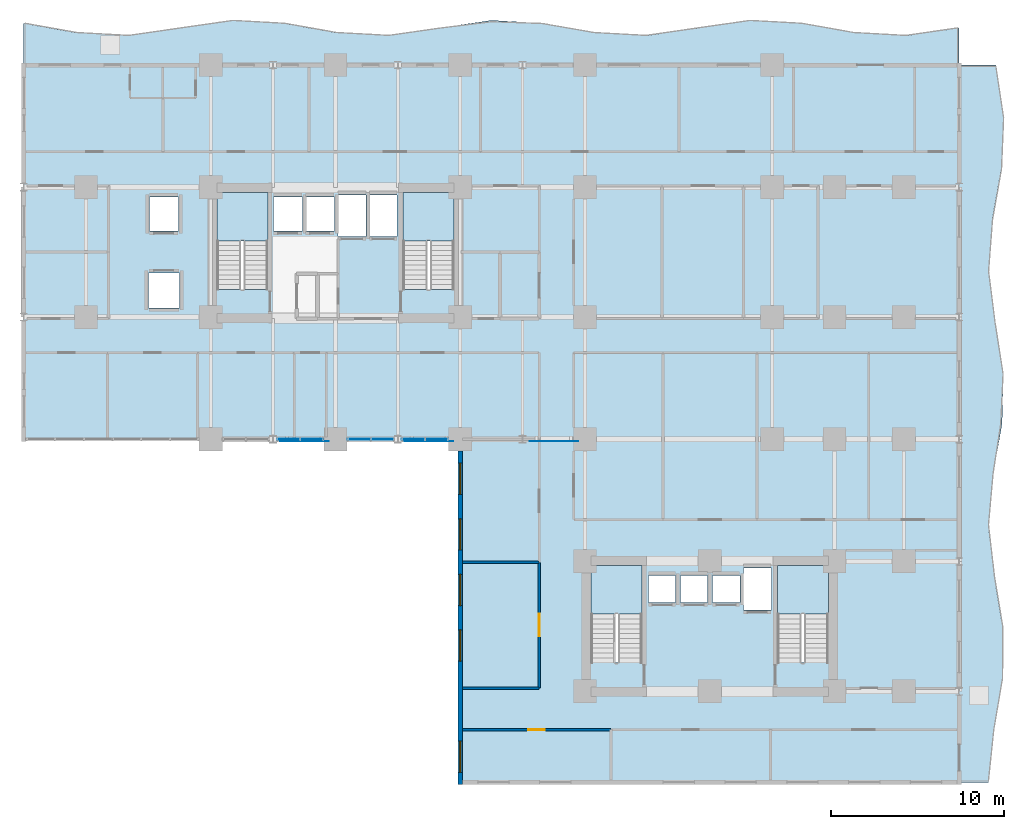
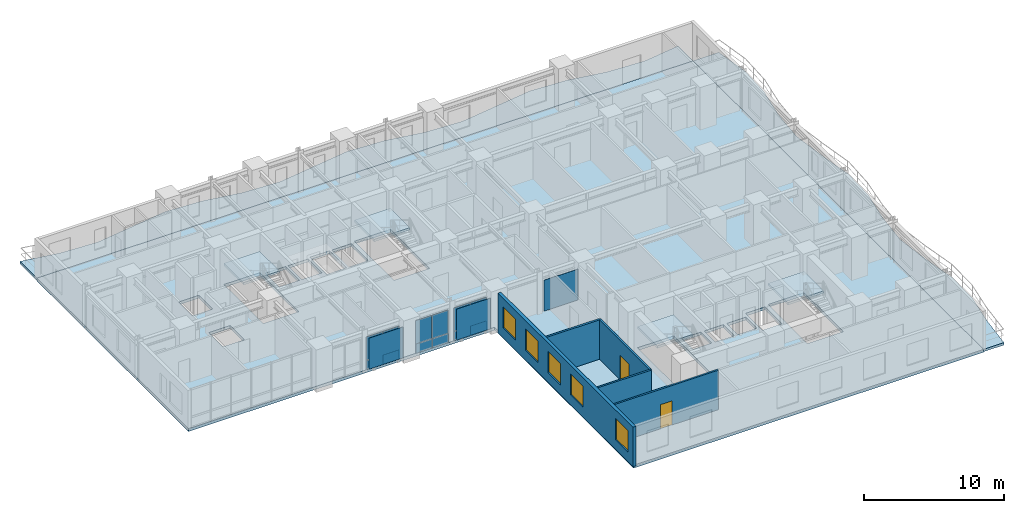
# One storey, part 7 of 17: 15 plates, 7 slabs, 5 walls, 5 windows, 2 doors, 7 openings, 7 elements without a shape of their own.
"""IFC4 building model written with IfcOpenShell, lengths in metres."""

from ifc_helpers import new_model, si_unit, direction, frame, frame_2d, origin, origin_2d, place, context, subcontext, project, spatial, polyline, rectangle, outline, extrude, source, transform, mapped, material, layer, layer_set, type_object, element, fill, aggregate, save


model = new_model("IFC4")

# Units and contexts
model_context = context("Model", 3, precision=1e-05, world=origin(), true_north=direction((0.0, 1.0)))
body_context = subcontext(model_context, "Body", "Model", "MODEL_VIEW")
ifc_project = project(units=[si_unit("LENGTHUNIT", "METRE"), si_unit("AREAUNIT", "SQUARE_METRE"), si_unit("VOLUMEUNIT", "CUBIC_METRE"), si_unit("PLANEANGLEUNIT", "RADIAN"), si_unit("MASSUNIT", "GRAM", prefix="KILO")], contexts=[model_context])

# Site, building, storey
site_placement = place(None, origin())
site = spatial("IfcSite", under=ifc_project, at=site_placement, CompositionType="ELEMENT")
building_placement = place(site_placement, origin())
building = spatial("IfcBuilding", under=site, at=building_placement, Name="Kaliganga Portal Commons", CompositionType="ELEMENT")
storey_placement = place(building_placement, frame((0.0, 0.0, 43.800048828125)))
storey = spatial("IfcBuildingStorey", under=building, at=storey_placement, Name="L10", CompositionType="ELEMENT", Elevation=43.800048828125)

# Slabs
ifc_material_1 = material(Name="Concrete C40/50", Category="concrete")
ifc_layer_1 = layer(ifc_material_1, 0.2099609375)
ifc_layer_set_1 = layer_set([ifc_layer_1], Name="Concrete C40/50")
slab_type_1 = type_object("IfcSlabType", Name="SLB-BALC-210", PredefinedType="FLOOR", material=ifc_layer_set_1)
slab_1_placement = place(storey_placement, frame((0.0, 0.0, -0.2099609375)))
element("IfcSlab", 1, at=slab_1_placement, inside=storey, type_object=slab_type_1, Name="Scalloped Tree-Planter Balcony Slab L10 balc_north", PredefinedType="FLOOR", context=body_context, shape_type="SweptSolid", body=[
    extrude(outline(polyline([(57.60009765625, 43.199951171875), (57.60009765625, 45.34326171875), (54.60009765625, 44.908935546875), (51.60009765625, 45.07470703125), (48.60009765625, 45.61181640625), (45.60009765625, 45.777587890625), (42.60009765625, 45.34326171875), (39.60009765625, 44.908935546875), (36.60009765625, 45.07470703125), (33.60009765625, 45.61181640625), (30.60009765625, 45.777587890625), (27.60009765625, 45.34326171875), (24.60009765625, 44.908935546875), (21.60009765625, 45.07470703125), (18.60009765625, 45.61181640625), (15.60009765625, 45.777587890625), (12.60009765625, 45.34326171875), (9.60009765625, 44.908935546875), (6.60009765625, 45.07470703125), (3.60009765625, 45.61181640625), (3.60009765625, 43.199951171875), (57.60009765625, 43.199951171875)])), origin(), (0.0, 0.0, 1.0), 0.2099609375),
])
slab_2_placement = place(storey_placement, frame((0.0, 0.0, -0.2099609375)))
element("IfcSlab", 2, at=slab_2_placement, inside=storey, type_object=slab_type_1, Name="Scalloped Tree-Planter Balcony Slab L10 balc_east", PredefinedType="FLOOR", context=body_context, shape_type="SweptSolid", body=[
    extrude(outline(polyline([(57.60009765625, 1.800048828125), (59.28662109375, 1.800048828125), (59.59423828125, 4.757080078125), (60.102783203125, 7.71435546875), (60.126708984375, 10.67138671875), (59.633544921875, 13.628662109375), (59.288330078125, 16.585693359375), (59.55615234375, 19.54296875), (60.076171875, 22.5), (60.1474609375, 25.45703125), (59.673828125, 28.414306640625), (59.293701171875, 31.371337890625), (59.51953125, 34.32861328125), (60.046875, 37.28564453125), (60.164794921875, 40.242919921875), (59.714599609375, 43.199951171875), (57.60009765625, 43.199951171875), (57.60009765625, 1.800048828125)])), origin(), (0.0, 0.0, 1.0), 0.2099609375),
])

# Stair, slab
stair_type = type_object("IfcStairType", Name="ST-CORE-DOGLEG", PredefinedType="HALF_TURN_STAIR", material=ifc_material_1)
stair_1_placement = place(storey_placement, origin())
stair_1 = element("IfcStair", 3, at=stair_1_placement, inside=storey, type_object=stair_type, Name="L10 Protected Exit Stair ST-A1", PredefinedType="HALF_TURN_STAIR")
ifc_layer_2 = layer(ifc_material_1, 0.199951171875)
ifc_layer_set_2 = layer_set([ifc_layer_2], Name="Concrete C40/50")
slab_type_2 = type_object("IfcSlabType", Name="SLB-STAIR-LND", PredefinedType="LANDING", material=ifc_layer_set_2)
slab_3_placement = place(storey_placement, frame((0.0, 0.0, 1.64990234375)))
slab_3 = element("IfcSlab", 4, at=slab_3_placement, type_object=slab_type_2, Name="ST-A1 landing 1", PredefinedType="LANDING", context=body_context, shape_type="SweptSolid", body=[
    extrude(outline(polyline([(17.699951171875, 33.050048828125), (17.699951171875, 35.85009765625), (14.75, 35.85009765625), (14.75, 33.050048828125), (17.699951171875, 33.050048828125)])), origin(), (0.0, 0.0, 1.0), 0.199951171875),
])
aggregate(stair_1, [slab_3])

stair_2_placement = place(storey_placement, origin())
stair_2 = element("IfcStair", 5, at=stair_2_placement, inside=storey, type_object=stair_type, Name="L10 Protected Exit Stair ST-A2", PredefinedType="HALF_TURN_STAIR")
slab_4_placement = place(storey_placement, frame((0.0, 0.0, 1.64990234375)))
slab_4 = element("IfcSlab", 6, at=slab_4_placement, type_object=slab_type_2, Name="ST-A2 landing 1", PredefinedType="LANDING", context=body_context, shape_type="SweptSolid", body=[
    extrude(outline(polyline([(28.449951171875, 33.050048828125), (28.449951171875, 35.85009765625), (25.5, 35.85009765625), (25.5, 33.050048828125), (28.449951171875, 33.050048828125)])), origin(), (0.0, 0.0, 1.0), 0.199951171875),
])
aggregate(stair_2, [slab_4])

stair_3_placement = place(storey_placement, origin())
stair_3 = element("IfcStair", 7, at=stair_3_placement, inside=storey, type_object=stair_type, Name="L10 Protected Exit Stair ST-B1", PredefinedType="HALF_TURN_STAIR")
slab_5_placement = place(storey_placement, frame((0.0, 0.0, 1.64990234375)))
slab_5 = element("IfcSlab", 8, at=slab_5_placement, type_object=slab_type_2, Name="ST-B1 landing 1", PredefinedType="LANDING", context=body_context, shape_type="SweptSolid", body=[
    extrude(outline(polyline([(39.300048828125, 11.5), (39.300048828125, 14.300048828125), (36.35009765625, 14.300048828125), (36.35009765625, 11.5), (39.300048828125, 11.5)])), origin(), (0.0, 0.0, 1.0), 0.199951171875),
])
aggregate(stair_3, [slab_5])

stair_4_placement = place(storey_placement, origin())
stair_4 = element("IfcStair", 9, at=stair_4_placement, inside=storey, type_object=stair_type, Name="L10 Protected Exit Stair ST-B2", PredefinedType="HALF_TURN_STAIR")
slab_6_placement = place(storey_placement, frame((0.0, 0.0, 1.64990234375)))
slab_6 = element("IfcSlab", 10, at=slab_6_placement, type_object=slab_type_2, Name="ST-B2 landing 1", PredefinedType="LANDING", context=body_context, shape_type="SweptSolid", body=[
    extrude(outline(polyline([(50.050048828125, 11.5), (50.050048828125, 14.300048828125), (47.10009765625, 14.300048828125), (47.10009765625, 11.5), (50.050048828125, 11.5)])), origin(), (0.0, 0.0, 1.0), 0.199951171875),
])
aggregate(stair_4, [slab_6])

# Slab
ifc_layer_3 = layer(ifc_material_1, 0.25)
ifc_layer_set_3 = layer_set([ifc_layer_3], Name="Concrete C40/50")
slab_type_3 = type_object("IfcSlabType", Name="SLB-TWR-250", PredefinedType="FLOOR", material=ifc_layer_set_3)
slab_7_placement = place(storey_placement, frame((0.0, 0.0, -0.25)))
element("IfcSlab", 11, at=slab_7_placement, inside=storey, type_object=slab_type_3, Name="Structural Floor Slab L10", PredefinedType="FLOOR", context=body_context, shape_type="SweptSolid", body=[
    extrude(outline(polyline([(28.800048828125, 1.800048828125), (57.60009765625, 1.800048828125), (57.60009765625, 43.199951171875), (3.60009765625, 43.199951171875), (3.60009765625, 21.60009765625), (28.800048828125, 21.60009765625), (28.800048828125, 1.800048828125)]), holes=[polyline([(14.75, 30.25390625), (14.75, 35.85009765625), (17.699951171875, 35.85009765625), (17.699951171875, 30.25390625), (14.75, 30.25390625)]), polyline([(25.5, 30.25390625), (25.5, 35.85009765625), (28.449951171875, 35.85009765625), (28.449951171875, 30.25390625), (25.5, 30.25390625)]), polyline([(36.35009765625, 8.7041015625), (36.35009765625, 14.300048828125), (39.300048828125, 14.300048828125), (39.300048828125, 8.7041015625), (36.35009765625, 8.7041015625)]), polyline([(47.10009765625, 8.7041015625), (47.10009765625, 14.300048828125), (50.050048828125, 14.300048828125), (50.050048828125, 8.7041015625), (47.10009765625, 8.7041015625)]), polyline([(18.014892578125, 33.614990234375), (18.014892578125, 35.5849609375), (19.68505859375, 35.5849609375), (19.68505859375, 33.614990234375), (18.014892578125, 33.614990234375)]), polyline([(19.864990234375, 33.614990234375), (19.864990234375, 35.5849609375), (21.534912109375, 35.5849609375), (21.534912109375, 33.614990234375), (19.864990234375, 33.614990234375)]), polyline([(10.81494140625, 29.18994140625), (10.81494140625, 31.2099609375), (12.5849609375, 31.2099609375), (12.5849609375, 29.18994140625), (10.81494140625, 29.18994140625)]), polyline([(10.864990234375, 33.614990234375), (10.864990234375, 35.5849609375), (12.534912109375, 35.5849609375), (12.534912109375, 33.614990234375), (10.864990234375, 33.614990234375)]), polyline([(21.739990234375, 33.2900390625), (21.739990234375, 35.7099609375), (23.360107421875, 35.7099609375), (23.360107421875, 33.2900390625), (21.739990234375, 33.2900390625)]), polyline([(23.5400390625, 33.2900390625), (23.5400390625, 35.7099609375), (25.159912109375, 35.7099609375), (25.159912109375, 33.2900390625), (23.5400390625, 33.2900390625)]), polyline([(39.6650390625, 12.1650390625), (39.6650390625, 13.735107421875), (41.235107421875, 13.735107421875), (41.235107421875, 12.1650390625), (39.6650390625, 12.1650390625)]), polyline([(41.514892578125, 12.1650390625), (41.514892578125, 13.735107421875), (43.0849609375, 13.735107421875), (43.0849609375, 12.1650390625), (41.514892578125, 12.1650390625)]), polyline([(43.364990234375, 12.1650390625), (43.364990234375, 13.735107421875), (44.93505859375, 13.735107421875), (44.93505859375, 12.1650390625), (43.364990234375, 12.1650390625)]), polyline([(45.139892578125, 11.739990234375), (45.139892578125, 14.159912109375), (46.760009765625, 14.159912109375), (46.760009765625, 11.739990234375), (45.139892578125, 11.739990234375)])]), origin(), (0.0, 0.0, 1.0), 0.25),
])

# Curtain wall, plates
ifc_material_2 = material(Name="Anodized Aluminium and Laminated Low-E Glass", Category="aluminium")
ifc_layer_4 = layer(ifc_material_2, 0.2099609375)
ifc_layer_set_4 = layer_set([ifc_layer_4], Name="Anodized Aluminium and Laminated Low-E Glass")
curtain_wall_type = type_object("IfcCurtainWallType", Name="CW-SYS-03", PredefinedType="NOTDEFINED", material=ifc_layer_set_4)
curtain_wall_1_placement = place(storey_placement, origin())
curtain_wall_1 = element("IfcCurtainWall", 12, at=curtain_wall_1_placement, inside=storey, type_object=curtain_wall_type, Name="CW 03 L10 P1E04S3", PredefinedType="NOTDEFINED")
ifc_material_3 = material(Name="Insulated Dark Spandrel Panel", Category="metal")
ifc_layer_5 = layer(ifc_material_3, 0.044921875)
ifc_layer_set_5 = layer_set([ifc_layer_5], Name="Insulated Dark Spandrel Panel")
plate_type_1 = type_object("IfcPlateType", Name="PLT-SPN-45", PredefinedType="SHEET", material=ifc_layer_set_5)
shared_shape_1 = source(origin(), body_context, "Body", "SweptSolid", [
    extrude(rectangle(XDim=1.3173828125, YDim=0.044921875, at=origin_2d()), origin(), (0.0, 0.0, 1.0), 0.805908203125),
])
plate_1_placement = place(storey_placement, frame((18.8876953125, 21.60009765625, 0.009765625), z_axis=(0.0, 0.0, 1.0), x_axis=(1.0, 0.0, 0.0)))
plate_1 = element("IfcPlate", 13, at=plate_1_placement, type_object=plate_type_1, Name="CW:03:L10:P1E04S3 Spandrel 00", PredefinedType="SHEET", context=body_context, shape_type="MappedRepresentation", body=[
    mapped(shared_shape_1, transform((0.0, 0.0, 0.0), x_axis=(1.0, 0.0, 0.0), y_axis=(0.0, 1.0, 0.0), z_axis=(0.0, 0.0, 1.0), scale=1.0)),
])
plate_2_placement = place(storey_placement, frame((20.2451171875, 21.60009765625, 0.009765625), z_axis=(0.0, 0.0, 1.0), x_axis=(1.0, 0.0, 0.0)))
plate_2 = element("IfcPlate", 14, at=plate_2_placement, type_object=plate_type_1, Name="CW:03:L10:P1E04S3 Spandrel 01", PredefinedType="SHEET", context=body_context, shape_type="MappedRepresentation", body=[
    mapped(shared_shape_1, transform((0.0, 0.0, 0.0), x_axis=(1.0, 0.0, 0.0), y_axis=(0.0, 1.0, 0.0), z_axis=(0.0, 0.0, 1.0), scale=1.0)),
])

curtain_wall_2_placement = place(storey_placement, origin())
curtain_wall_2 = element("IfcCurtainWall", 15, at=curtain_wall_2_placement, inside=storey, type_object=curtain_wall_type, Name="CW 03 L10 P1E04S4", PredefinedType="NOTDEFINED")
plate_3_placement = place(storey_placement, frame((22.954833984375, 21.60009765625, 0.009765625), z_axis=(0.0, 0.0, 1.0), x_axis=(1.0, 0.0, 0.0)))
plate_3 = element("IfcPlate", 16, at=plate_3_placement, type_object=plate_type_1, Name="CW:03:L10:P1E04S4 Spandrel 00", PredefinedType="SHEET", context=body_context, shape_type="MappedRepresentation", body=[
    mapped(shared_shape_1, transform((0.0, 0.0, 0.0), x_axis=(1.0, 0.0, 0.0), y_axis=(0.0, 1.0, 0.0), z_axis=(0.0, 0.0, 1.0), scale=1.0)),
])
plate_4_placement = place(storey_placement, frame((24.312255859375, 21.60009765625, 0.009765625), z_axis=(0.0, 0.0, 1.0), x_axis=(1.0, 0.0, 0.0)))
plate_4 = element("IfcPlate", 17, at=plate_4_placement, type_object=plate_type_1, Name="CW:03:L10:P1E04S4 Spandrel 01", PredefinedType="SHEET", context=body_context, shape_type="MappedRepresentation", body=[
    mapped(shared_shape_1, transform((0.0, 0.0, 0.0), x_axis=(1.0, 0.0, 0.0), y_axis=(0.0, 1.0, 0.0), z_axis=(0.0, 0.0, 1.0), scale=1.0)),
])

curtain_wall_3_placement = place(storey_placement, origin())
curtain_wall_3 = element("IfcCurtainWall", 18, at=curtain_wall_3_placement, inside=storey, type_object=curtain_wall_type, Name="CW 03 L10 P1E04S5", PredefinedType="NOTDEFINED")
plate_5_placement = place(storey_placement, frame((26.087646484375, 21.60009765625, 0.009765625), z_axis=(0.0, 0.0, 1.0), x_axis=(1.0, 0.0, 0.0)))
plate_5 = element("IfcPlate", 19, at=plate_5_placement, type_object=plate_type_1, Name="CW:03:L10:P1E04S5 Spandrel 00", PredefinedType="SHEET", context=body_context, shape_type="MappedRepresentation", body=[
    mapped(shared_shape_1, transform((0.0, 0.0, 0.0), x_axis=(1.0, 0.0, 0.0), y_axis=(0.0, 1.0, 0.0), z_axis=(0.0, 0.0, 1.0), scale=1.0)),
])
plate_6_placement = place(storey_placement, frame((27.4453125, 21.60009765625, 0.009765625), z_axis=(0.0, 0.0, 1.0), x_axis=(1.0, 0.0, 0.0)))
plate_6 = element("IfcPlate", 20, at=plate_6_placement, type_object=plate_type_1, Name="CW:03:L10:P1E04S5 Spandrel 01", PredefinedType="SHEET", context=body_context, shape_type="MappedRepresentation", body=[
    mapped(shared_shape_1, transform((0.0, 0.0, 0.0), x_axis=(1.0, 0.0, 0.0), y_axis=(0.0, 1.0, 0.0), z_axis=(0.0, 0.0, 1.0), scale=1.0)),
])

# Plate
ifc_material_4 = material(Name="Dark Solar-Control Laminated Low-E IGU", Category="glass")
ifc_layer_6 = layer(ifc_material_4, 0.028076171875)
ifc_layer_set_6 = layer_set([ifc_layer_6], Name="Dark Solar-Control Laminated Low-E IGU")
plate_type_2 = type_object("IfcPlateType", Name="PLT-GLZ-28", PredefinedType="CURTAIN_PANEL", material=ifc_layer_set_6)
shared_shape_2 = source(origin(), body_context, "Body", "SweptSolid", [
    extrude(rectangle(XDim=1.3173828125, YDim=0.028076171875, at=origin_2d()), origin(), (0.0, 0.0, 1.0), 2.02392578125),
])
plate_7_placement = place(storey_placement, frame((18.8876953125, 21.60009765625, 0.8359375), z_axis=(0.0, 0.0, 1.0), x_axis=(1.0, 0.0, 0.0)))
plate_7 = element("IfcPlate", 21, at=plate_7_placement, type_object=plate_type_2, Name="CW:03:L10:P1E04S3 Vision IGU 00", PredefinedType="CURTAIN_PANEL", context=body_context, shape_type="MappedRepresentation", body=[
    mapped(shared_shape_2, transform((0.0, 0.0, 0.0), x_axis=(1.0, 0.0, 0.0), y_axis=(0.0, 1.0, 0.0), z_axis=(0.0, 0.0, 1.0), scale=1.0)),
])

plate_8_placement = place(storey_placement, frame((20.2451171875, 21.60009765625, 0.8359375), z_axis=(0.0, 0.0, 1.0), x_axis=(1.0, 0.0, 0.0)))
plate_8 = element("IfcPlate", 22, at=plate_8_placement, type_object=plate_type_2, Name="CW:03:L10:P1E04S3 Vision IGU 01", PredefinedType="CURTAIN_PANEL", context=body_context, shape_type="MappedRepresentation", body=[
    mapped(shared_shape_2, transform((0.0, 0.0, 0.0), x_axis=(1.0, 0.0, 0.0), y_axis=(0.0, 1.0, 0.0), z_axis=(0.0, 0.0, 1.0), scale=1.0)),
])

aggregate(curtain_wall_1, [plate_1, plate_7, plate_2, plate_8])

plate_9_placement = place(storey_placement, frame((22.954833984375, 21.60009765625, 0.8359375), z_axis=(0.0, 0.0, 1.0), x_axis=(1.0, 0.0, 0.0)))
plate_9 = element("IfcPlate", 23, at=plate_9_placement, type_object=plate_type_2, Name="CW:03:L10:P1E04S4 Vision IGU 00", PredefinedType="CURTAIN_PANEL", context=body_context, shape_type="MappedRepresentation", body=[
    mapped(shared_shape_2, transform((0.0, 0.0, 0.0), x_axis=(1.0, 0.0, 0.0), y_axis=(0.0, 1.0, 0.0), z_axis=(0.0, 0.0, 1.0), scale=1.0)),
])

plate_10_placement = place(storey_placement, frame((24.312255859375, 21.60009765625, 0.8359375), z_axis=(0.0, 0.0, 1.0), x_axis=(1.0, 0.0, 0.0)))
plate_10 = element("IfcPlate", 24, at=plate_10_placement, type_object=plate_type_2, Name="CW:03:L10:P1E04S4 Vision IGU 01", PredefinedType="CURTAIN_PANEL", context=body_context, shape_type="MappedRepresentation", body=[
    mapped(shared_shape_2, transform((0.0, 0.0, 0.0), x_axis=(1.0, 0.0, 0.0), y_axis=(0.0, 1.0, 0.0), z_axis=(0.0, 0.0, 1.0), scale=1.0)),
])

aggregate(curtain_wall_2, [plate_3, plate_9, plate_4, plate_10])

plate_11_placement = place(storey_placement, frame((26.087646484375, 21.60009765625, 0.8359375), z_axis=(0.0, 0.0, 1.0), x_axis=(1.0, 0.0, 0.0)))
plate_11 = element("IfcPlate", 25, at=plate_11_placement, type_object=plate_type_2, Name="CW:03:L10:P1E04S5 Vision IGU 00", PredefinedType="CURTAIN_PANEL", context=body_context, shape_type="MappedRepresentation", body=[
    mapped(shared_shape_2, transform((0.0, 0.0, 0.0), x_axis=(1.0, 0.0, 0.0), y_axis=(0.0, 1.0, 0.0), z_axis=(0.0, 0.0, 1.0), scale=1.0)),
])

plate_12_placement = place(storey_placement, frame((27.4453125, 21.60009765625, 0.8359375), z_axis=(0.0, 0.0, 1.0), x_axis=(1.0, 0.0, 0.0)))
plate_12 = element("IfcPlate", 26, at=plate_12_placement, type_object=plate_type_2, Name="CW:03:L10:P1E04S5 Vision IGU 01", PredefinedType="CURTAIN_PANEL", context=body_context, shape_type="MappedRepresentation", body=[
    mapped(shared_shape_2, transform((0.0, 0.0, 0.0), x_axis=(1.0, 0.0, 0.0), y_axis=(0.0, 1.0, 0.0), z_axis=(0.0, 0.0, 1.0), scale=1.0)),
])

aggregate(curtain_wall_3, [plate_5, plate_11, plate_6, plate_12])

# Plates
ifc_material_5 = material(Name="Perforated Bronze-Anodized Aluminium Solar Screen", Category="aluminium")
ifc_layer_7 = layer(ifc_material_5, 0.01806640625)
ifc_layer_set_7 = layer_set([ifc_layer_7], Name="Perforated Bronze-Anodized Aluminium Solar Screen")
plate_type_3 = type_object("IfcPlateType", Name="PLT-SCR-18", PredefinedType="USERDEFINED", material=ifc_layer_set_7)
shared_shape_3 = source(origin(), body_context, "Body", "SweptSolid", [
    extrude(rectangle(XDim=2.800048828125, YDim=0.01806640625, at=origin_2d()), origin(), (0.0, 0.0, 1.0), 2.68994140625),
])
for number, where, z_axis, x_axis, name in (
    (27, (19.800048828125, 21.47998046875, 0.080078125), (0.0, 0.0, 1.0), (1.0, 0.0, 0.0), "Perforated Solar Screen L10-S1"),
    (28, (27.0, 21.47998046875, 0.080078125), (0.0, 0.0, 1.0), (1.0, 0.0, 0.0), "Perforated Solar Screen L10-S2"),
    (29, (34.199951171875, 21.47998046875, 0.080078125), (0.0, 0.0, 1.0), (1.0, 0.0, 0.0), "Perforated Solar Screen L10-S3"),
):
    element("IfcPlate", number, at=place(storey_placement, frame(where, z_axis=z_axis, x_axis=x_axis)), inside=storey, type_object=plate_type_3, Name=name, ObjectType="SOLAR SCREEN", PredefinedType="USERDEFINED", context=body_context, shape_type="MappedRepresentation", body=[
        mapped(shared_shape_3, transform((0.0, 0.0, 0.0), x_axis=(1.0, 0.0, 0.0), y_axis=(0.0, 1.0, 0.0), z_axis=(0.0, 0.0, 1.0), scale=1.0)),
    ])

# Wall, openings, windows
ifc_material_6 = material(Name="Insulated Aluminium-Clad Spandrel Assembly", Category="aluminium")
ifc_layer_8 = layer(ifc_material_6, 0.260009765625)
ifc_layer_set_8 = layer_set([ifc_layer_8], Name="Insulated Aluminium-Clad Spandrel Assembly")
wall_type_1 = type_object("IfcWallType", Name="WL-EXT-SPAND-260", PredefinedType="STANDARD", material=ifc_layer_set_8)
wall_1_placement = place(storey_placement, frame((28.800048828125, 1.669921875, 0.0), z_axis=(0.0, 0.0, 1.0), x_axis=(0.0, 1.0, 0.0)))
wall_1 = element("IfcWall", 30, at=wall_1_placement, inside=storey, type_object=wall_type_1, Name="Exterior Envelope Wall L10 P1-E05-S1", PredefinedType="STANDARD", context=body_context, shape_type="SweptSolid", body=[
    extrude(rectangle(XDim=19.254150390625, YDim=0.260009765625, at=frame_2d((9.626953125, 0.0))), origin(), (0.0, 0.0, 1.0), 3.429931640625),
])
opening_1_placement = place(wall_1_placement, frame((0.70458984375, 0.0, 0.85009765625)))
opening_1 = element("IfcOpeningElement", 31, at=opening_1_placement, cuts=wall_1, Name="Opening W-01", PredefinedType="OPENING", context=body_context, shape_type="SweptSolid", body=[
    extrude(rectangle(XDim=1.800048828125, YDim=1.85009765625, at=frame_2d((0.89990234375, 0.925048828125))), frame((0.0, 0.14013671875, 0.0), z_axis=(0.0, -1.0, 0.0), x_axis=(1.0, 0.0, 0.0)), (0.0, 0.0, 1.0), 0.280029296875),
])
opening_2_placement = place(wall_1_placement, frame((7.12255859375, 0.0, 0.85009765625)))
opening_2 = element("IfcOpeningElement", 32, at=opening_2_placement, cuts=wall_1, Name="Opening W-01", PredefinedType="OPENING", context=body_context, shape_type="SweptSolid", body=[
    extrude(rectangle(XDim=1.800048828125, YDim=1.85009765625, at=frame_2d((0.89990234375, 0.925048828125))), frame((0.0, 0.14013671875, 0.0), z_axis=(0.0, -1.0, 0.0), x_axis=(1.0, 0.0, 0.0)), (0.0, 0.0, 1.0), 0.280029296875),
])
opening_3_placement = place(wall_1_placement, frame((10.33154296875, 0.0, 0.85009765625)))
opening_3 = element("IfcOpeningElement", 33, at=opening_3_placement, cuts=wall_1, Name="Opening W-01", PredefinedType="OPENING", context=body_context, shape_type="SweptSolid", body=[
    extrude(rectangle(XDim=1.800048828125, YDim=1.85009765625, at=frame_2d((0.89990234375, 0.925048828125))), frame((0.0, 0.14013671875, 0.0), z_axis=(0.0, -1.0, 0.0), x_axis=(1.0, 0.0, 0.0)), (0.0, 0.0, 1.0), 0.280029296875),
])
opening_4_placement = place(wall_1_placement, frame((13.54052734375, 0.0, 0.85009765625)))
opening_4 = element("IfcOpeningElement", 34, at=opening_4_placement, cuts=wall_1, Name="Opening W-01", PredefinedType="OPENING", context=body_context, shape_type="SweptSolid", body=[
    extrude(rectangle(XDim=1.800048828125, YDim=1.85009765625, at=frame_2d((0.89990234375, 0.925048828125))), frame((0.0, 0.14013671875, 0.0), z_axis=(0.0, -1.0, 0.0), x_axis=(1.0, 0.0, 0.0)), (0.0, 0.0, 1.0), 0.280029296875),
])
opening_5_placement = place(wall_1_placement, frame((16.74951171875, 0.0, 0.85009765625)))
opening_5 = element("IfcOpeningElement", 35, at=opening_5_placement, cuts=wall_1, Name="Opening W-01", PredefinedType="OPENING", context=body_context, shape_type="SweptSolid", body=[
    extrude(rectangle(XDim=1.800048828125, YDim=1.85009765625, at=frame_2d((0.89990234375, 0.925048828125))), frame((0.0, 0.14013671875, 0.0), z_axis=(0.0, -1.0, 0.0), x_axis=(1.0, 0.0, 0.0)), (0.0, 0.0, 1.0), 0.280029296875),
])
ifc_material_7 = material(Name="Thermally Broken Aluminium and Low-E Double Glazing", Category="aluminium")
window_type = type_object("IfcWindowType", Name="WIN-STD-1800", PartitioningType="DOUBLE_PANEL_VERTICAL", PredefinedType="WINDOW", material=ifc_material_7)
window_1_placement = place(opening_1_placement, origin())
window_1 = element("IfcWindow", 36, at=window_1_placement, inside=storey, type_object=window_type, Name="Facade Window L10-P1E05S1-00", OverallHeight=1.85009765625, OverallWidth=1.800048828125, PartitioningType="SINGLE_PANEL", PredefinedType="WINDOW", context=body_context, shape_type="SweptSolid", body=[
    extrude(rectangle(XDim=1.800048828125, YDim=1.85009765625, at=frame_2d((0.89990234375, 0.925048828125))), frame((0.0, 0.030029296875, 0.0), z_axis=(0.0, -1.0, 0.0), x_axis=(1.0, 0.0, 0.0)), (0.0, 0.0, 1.0), 0.06005859375),
])
fill(opening_1, window_1)
window_2_placement = place(opening_2_placement, origin())
window_2 = element("IfcWindow", 37, at=window_2_placement, inside=storey, type_object=window_type, Name="Facade Window L10-P1E05S1-02", OverallHeight=1.85009765625, OverallWidth=1.800048828125, PartitioningType="SINGLE_PANEL", PredefinedType="WINDOW", context=body_context, shape_type="SweptSolid", body=[
    extrude(rectangle(XDim=1.800048828125, YDim=1.85009765625, at=frame_2d((0.89990234375, 0.925048828125))), frame((0.0, 0.030029296875, 0.0), z_axis=(0.0, -1.0, 0.0), x_axis=(1.0, 0.0, 0.0)), (0.0, 0.0, 1.0), 0.06005859375),
])
fill(opening_2, window_2)
window_3_placement = place(opening_3_placement, origin())
window_3 = element("IfcWindow", 38, at=window_3_placement, inside=storey, type_object=window_type, Name="Facade Window L10-P1E05S1-03", OverallHeight=1.85009765625, OverallWidth=1.800048828125, PartitioningType="SINGLE_PANEL", PredefinedType="WINDOW", context=body_context, shape_type="SweptSolid", body=[
    extrude(rectangle(XDim=1.800048828125, YDim=1.85009765625, at=frame_2d((0.89990234375, 0.925048828125))), frame((0.0, 0.030029296875, 0.0), z_axis=(0.0, -1.0, 0.0), x_axis=(1.0, 0.0, 0.0)), (0.0, 0.0, 1.0), 0.06005859375),
])
fill(opening_3, window_3)
window_4_placement = place(opening_4_placement, origin())
window_4 = element("IfcWindow", 39, at=window_4_placement, inside=storey, type_object=window_type, Name="Facade Window L10-P1E05S1-04", OverallHeight=1.85009765625, OverallWidth=1.800048828125, PartitioningType="SINGLE_PANEL", PredefinedType="WINDOW", context=body_context, shape_type="SweptSolid", body=[
    extrude(rectangle(XDim=1.800048828125, YDim=1.85009765625, at=frame_2d((0.89990234375, 0.925048828125))), frame((0.0, 0.030029296875, 0.0), z_axis=(0.0, -1.0, 0.0), x_axis=(1.0, 0.0, 0.0)), (0.0, 0.0, 1.0), 0.06005859375),
])
fill(opening_4, window_4)
window_5_placement = place(opening_5_placement, origin())
window_5 = element("IfcWindow", 40, at=window_5_placement, inside=storey, type_object=window_type, Name="Facade Window L10-P1E05S1-05", OverallHeight=1.85009765625, OverallWidth=1.800048828125, PartitioningType="SINGLE_PANEL", PredefinedType="WINDOW", context=body_context, shape_type="SweptSolid", body=[
    extrude(rectangle(XDim=1.800048828125, YDim=1.85009765625, at=frame_2d((0.89990234375, 0.925048828125))), frame((0.0, 0.030029296875, 0.0), z_axis=(0.0, -1.0, 0.0), x_axis=(1.0, 0.0, 0.0)), (0.0, 0.0, 1.0), 0.06005859375),
])
fill(opening_5, window_5)

# Wall, opening, door
ifc_material_8 = material(Name="Fire-Rated Gypsum Board on Steel Stud", Category="steel")
ifc_layer_9 = layer(ifc_material_8, 0.14990234375)
ifc_layer_set_9 = layer_set([ifc_layer_9], Name="Fire-Rated Gypsum Board on Steel Stud")
wall_type_2 = type_object("IfcWallType", Name="WL-PART-CORR-150", PredefinedType="PARTITIONING", material=ifc_layer_set_9)
wall_2_placement = place(storey_placement, frame((28.931884765625, 4.840087890625, 0.0), z_axis=(0.0, 0.0, 1.0), x_axis=(1.0, 0.0, 0.0)))
wall_2 = element("IfcWall", 41, at=wall_2_placement, inside=storey, type_object=wall_type_2, Name="Interior Partition L10-013", PredefinedType="PARTITIONING", context=body_context, shape_type="SweptSolid", body=[
    extrude(rectangle(XDim=8.568115234375, YDim=0.14990234375, at=frame_2d((4.2841796875, 0.0))), origin(), (0.0, 0.0, 1.0), 3.429931640625),
])
opening_6_placement = place(wall_2_placement, frame((3.80908203125, 0.0, 0.0)))
opening_6 = element("IfcOpeningElement", 42, at=opening_6_placement, cuts=wall_2, Name="Opening UD-01", PredefinedType="OPENING", context=body_context, shape_type="SweptSolid", body=[
    extrude(rectangle(XDim=0.949951171875, YDim=2.10009765625, at=frame_2d((0.47509765625, 1.050048828125))), frame((0.0, 0.0849609375, 0.0), z_axis=(0.0, -1.0, 0.0), x_axis=(1.0, 0.0, 0.0)), (0.0, 0.0, 1.0), 0.169921875),
])
ifc_material_9 = material(Name="Solid-Core Timber Acoustic Fire Door", Category="wood")
door_type_1 = type_object("IfcDoorType", Name="DR-UNIT-950", OperationType="NOTDEFINED", PredefinedType="DOOR", material=ifc_material_9)
door_1_placement = place(opening_6_placement, origin())
door_1 = element("IfcDoor", 43, at=door_1_placement, inside=storey, type_object=door_type_1, Name="Interior Door L10-BS01", OperationType="SINGLE_SWING_RIGHT", OverallHeight=2.10009765625, OverallWidth=0.949951171875, PredefinedType="DOOR", context=body_context, shape_type="SweptSolid", body=[
    extrude(rectangle(XDim=0.949951171875, YDim=2.10009765625, at=frame_2d((0.47509765625, 1.050048828125))), frame((0.0, 0.02490234375, 0.0), z_axis=(0.0, -1.0, 0.0), x_axis=(1.0, 0.0, 0.0)), (0.0, 0.0, 1.0), 0.050048828125),
])
fill(opening_6, door_1)

wall_3_placement = place(storey_placement, frame((33.360107421875, 7.239990234375, 0.0), z_axis=(0.0, 0.0, 1.0), x_axis=(0.0, 1.0, 0.0)))
wall_3 = element("IfcWall", 44, at=wall_3_placement, inside=storey, type_object=wall_type_2, Name="Interior Partition L10-019", PredefinedType="PARTITIONING", context=body_context, shape_type="SweptSolid", body=[
    extrude(rectangle(XDim=7.260009765625, YDim=0.14990234375, at=frame_2d((3.6298828125, 0.0))), origin(), (0.0, 0.0, 1.0), 3.429931640625),
])
opening_7_placement = place(wall_3_placement, frame((2.97998046875, 0.0, 0.0)))
opening_7 = element("IfcOpeningElement", 45, at=opening_7_placement, cuts=wall_3, Name="Opening RD-03", PredefinedType="OPENING", context=body_context, shape_type="SweptSolid", body=[
    extrude(rectangle(XDim=1.300048828125, YDim=2.1201171875, at=frame_2d((0.64990234375, 1.06005859375))), frame((0.0, 0.0849609375, 0.0), z_axis=(0.0, -1.0, 0.0), x_axis=(1.0, 0.0, 0.0)), (0.0, 0.0, 1.0), 0.169921875),
])
ifc_material_10 = material(Name="Glazed Timber Seminar Vision Door", Category="wood")
door_type_2 = type_object("IfcDoorType", Name="DR-STUDY-1300", OperationType="DOUBLE_DOOR_SINGLE_SWING", PredefinedType="DOOR", material=ifc_material_10)
door_2_placement = place(opening_7_placement, origin())
door_2 = element("IfcDoor", 46, at=door_2_placement, inside=storey, type_object=door_type_2, Name="Interior Door L10-KW01", OperationType="DOUBLE_DOOR_SINGLE_SWING", OverallHeight=2.1201171875, OverallWidth=1.300048828125, PredefinedType="DOOR", context=body_context, shape_type="SweptSolid", body=[
    extrude(rectangle(XDim=1.300048828125, YDim=2.1201171875, at=frame_2d((0.64990234375, 1.06005859375))), frame((0.0, 0.02490234375, 0.0), z_axis=(0.0, -1.0, 0.0), x_axis=(1.0, 0.0, 0.0)), (0.0, 0.0, 1.0), 0.050048828125),
])
fill(opening_7, door_2)

# Walls
wall_4_placement = place(storey_placement, frame((28.931884765625, 7.239990234375, 0.0), z_axis=(0.0, 0.0, 1.0), x_axis=(1.0, 0.0, 0.0)))
element("IfcWall", 47, at=wall_4_placement, inside=storey, type_object=wall_type_2, Name="Interior Partition L10-041", PredefinedType="PARTITIONING", context=body_context, shape_type="SweptSolid", body=[
    extrude(rectangle(XDim=4.42822265625, YDim=0.14990234375, at=frame_2d((2.214111328125, 0.0))), origin(), (0.0, 0.0, 1.0), 3.429931640625),
])
ifc_material_11 = material(Name="Twin-Stud Acoustic Gypsum Partition", Category="gypsum")
ifc_layer_10 = layer(ifc_material_11, 0.1650390625)
ifc_layer_set_10 = layer_set([ifc_layer_10], Name="Twin-Stud Acoustic Gypsum Partition")
wall_type_3 = type_object("IfcWallType", Name="WL-PART-UNIT-165", PredefinedType="PARTITIONING", material=ifc_layer_set_10)
wall_5_placement = place(storey_placement, frame((28.931884765625, 14.5, 0.0), z_axis=(0.0, 0.0, 1.0), x_axis=(1.0, 0.0, 0.0)))
element("IfcWall", 48, at=wall_5_placement, inside=storey, type_object=wall_type_3, Name="Interior Partition L10-083", PredefinedType="PARTITIONING", context=body_context, shape_type="SweptSolid", body=[
    extrude(rectangle(XDim=4.42822265625, YDim=0.1650390625, at=frame_2d((2.214111328125, 0.0))), origin(), (0.0, 0.0, 1.0), 3.429931640625),
])

save(model, "model.ifc")
